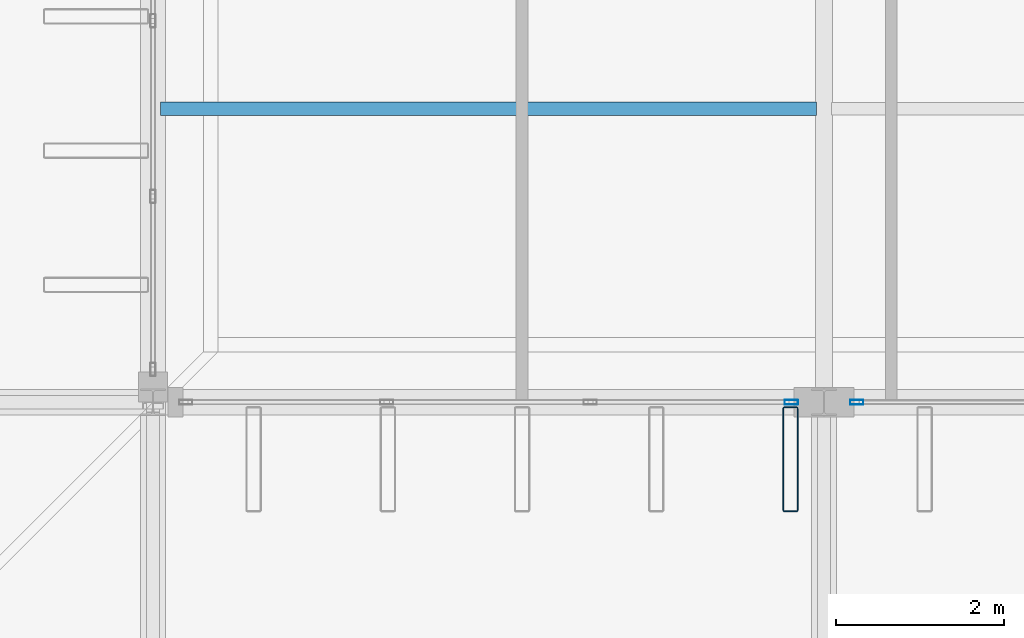
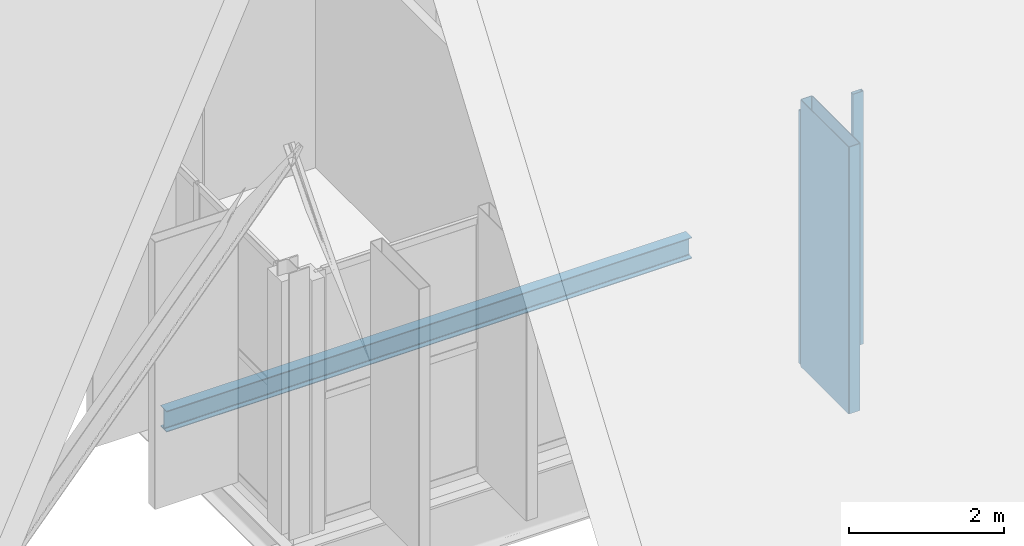
# One storey, part 18 of 93: 3 members, 1 beam, 2 elements without a shape of their own.
"""IFC4 building model written with IfcOpenShell, lengths in metres."""

import ifcopenshell
import ifcopenshell.guid

model = None  # the IFC model being written
_history = None  # IfcOwnerHistory: only IFC2X3 demands one
_inside = {}  # id of a spatial element -> (the spatial element, [elements in it])
_under = {}  # id of a project, library or spatial element -> (it, [spatial elements below it])
_declared = {}  # id of a project -> (the project, [libraries it declares])
_typed = {}  # id of a type object -> (the type object, [elements of that type])
_made_of = {}  # id of a material, layer set ... -> (it, [elements and type objects made of it])


def new_model(schema):
    """Start an empty IFC model of exactly this schema.

    Asked for "IFC4X3", IfcOpenShell would pick the latest addendum, in which some entities
    have other attributes; the version numbers below select the first issue.
    IFC2X3 requires an IfcOwnerHistory on every rooted entity: one is made here for all.
    """
    global model, _history
    if schema == "IFC4X3":
        model = ifcopenshell.file(schema_version=(4, 3, 0, 0))
    else:
        model = ifcopenshell.file(schema=schema)
    _inside.clear()
    _under.clear()
    _declared.clear()
    _typed.clear()
    _made_of.clear()
    _history = None
    if model.schema == "IFC2X3":
        org = make("IfcOrganization", Name="unknown")
        user = make(
            "IfcPersonAndOrganization",
            ThePerson=make("IfcPerson", FamilyName="unknown"),
            TheOrganization=org,
        )
        app = make(
            "IfcApplication",
            ApplicationDeveloper=org,
            Version="unknown",
            ApplicationFullName="unknown",
            ApplicationIdentifier="unknown",
        )
        _history = make(
            "IfcOwnerHistory",
            OwningUser=user,
            OwningApplication=app,
            ChangeAction="ADDED",
            CreationDate=0,
        )
    return model


def make(cls, **values):
    """One entity of the class cls with the attributes given. An attribute that is None is left unset."""
    return model.create_entity(
        cls, **{name: value for name, value in values.items() if value is not None}
    )


def rooted(cls, **values):
    """An entity with a GlobalId (a new one), such as an element, a storey or a relation."""
    return make(cls, GlobalId=ifcopenshell.guid.new(), OwnerHistory=_history, **values)


def si_unit(unit_type, name, prefix=None):
    """IfcSIUnit, for example si_unit("LENGTHUNIT", "METRE", prefix="MILLI")."""
    return make("IfcSIUnit", UnitType=unit_type, Prefix=prefix, Name=name)


def assignment(units):
    """IfcUnitAssignment: the units of a project."""
    return None if units is None else make("IfcUnitAssignment", Units=units)


def point(xyz):
    """IfcCartesianPoint."""
    return None if xyz is None else make("IfcCartesianPoint", Coordinates=xyz)


def direction(xyz):
    """IfcDirection."""
    return None if xyz is None else make("IfcDirection", DirectionRatios=xyz)


def frame(location, z_axis=None, x_axis=None):
    """IfcAxis2Placement3D, a coordinate frame: its origin and axes. An axis left out is left unset."""
    return make(
        "IfcAxis2Placement3D",
        Location=point(location),
        Axis=direction(z_axis),
        RefDirection=direction(x_axis),
    )


def frame_2d(location, x_axis=None):
    """IfcAxis2Placement2D, a coordinate frame in the plane: its origin and x axis."""
    return make(
        "IfcAxis2Placement2D", Location=point(location), RefDirection=direction(x_axis)
    )


def origin():
    """The frame at (0, 0, 0) with its axes left unset."""
    return frame((0.0, 0.0, 0.0))


def origin_2d():
    """The frame at (0, 0) in the plane with its x axis left unset."""
    return frame_2d((0.0, 0.0))


def place(relative_to, where):
    """IfcLocalPlacement: puts the frame where relative to a parent placement (None: the world)."""
    return make(
        "IfcLocalPlacement", PlacementRelTo=relative_to, RelativePlacement=where
    )


def context(
    kind, dimensions, precision=None, world=None, true_north=None, identifier=None
):
    """IfcGeometricRepresentationContext, for example the 3D "Model" context."""
    return make(
        "IfcGeometricRepresentationContext",
        ContextIdentifier=identifier,
        ContextType=kind,
        CoordinateSpaceDimension=dimensions,
        Precision=precision,
        WorldCoordinateSystem=world,
        TrueNorth=true_north,
    )


def subcontext(parent, identifier, kind, view, scale=None):
    """IfcGeometricRepresentationSubContext, for example "Body" below "Model"."""
    return make(
        "IfcGeometricRepresentationSubContext",
        ContextIdentifier=identifier,
        ContextType=kind,
        ParentContext=parent,
        TargetScale=scale,
        TargetView=view,
    )


def project(units=None, contexts=None):
    """IfcProject with its units and contexts."""
    return rooted(
        "IfcProject",
        Name="project",
        RepresentationContexts=contexts,
        UnitsInContext=assignment(units),
    )


def spatial(cls, under=None, at=None, **own):
    """A site, building, storey or space (cls), placed at a placement, below another one or the project."""
    s = rooted(cls, ObjectPlacement=at, **own)
    if under is not None:
        _under.setdefault(under.id(), (under, []))[1].append(s)
    return s


def profile(cls, at=None, kind="AREA", **sizes):
    """A parametric profile (cls). Its sizes go by their IFC names, for example OverallWidth=200.0."""
    return make(cls, ProfileType=kind, Position=at, **sizes)


def hollow_rectangle(**sizes):
    """IfcRectangleHollowProfileDef."""
    return profile("IfcRectangleHollowProfileDef", **sizes)


def i_section(**sizes):
    """IfcIShapeProfileDef."""
    return profile("IfcIShapeProfileDef", **sizes)


def extrude(swept, where, along, depth):
    """IfcExtrudedAreaSolid: the profile swept, set in the frame where, extruded along a direction by depth."""
    return make(
        "IfcExtrudedAreaSolid",
        SweptArea=swept,
        Position=where,
        ExtrudedDirection=direction(along),
        Depth=depth,
    )


def shape(context_of_items, identifier, shape_type, items):
    """IfcShapeRepresentation: the items that make up one representation, for example the "Body"."""
    return make(
        "IfcShapeRepresentation",
        ContextOfItems=context_of_items,
        RepresentationIdentifier=identifier,
        RepresentationType=shape_type,
        Items=items,
    )


def material(Name=None, Category=None):
    """IfcMaterial."""
    return make("IfcMaterial", Name=Name, Category=Category)


def layer(
    of_material, thickness, ventilated=None, Name=None, Category=None, Priority=None
):
    """IfcMaterialLayer: one layer of a wall or slab, of a material (None: an air gap)."""
    return make(
        "IfcMaterialLayer",
        Material=of_material,
        LayerThickness=thickness,
        IsVentilated=ventilated,
        Name=Name,
        Category=Category,
        Priority=Priority,
    )


def layer_set(layers, Name=None):
    """IfcMaterialLayerSet."""
    return make("IfcMaterialLayerSet", MaterialLayers=layers, LayerSetName=Name)


def material_profile(
    of_material, cross_section, Name=None, Category=None, Priority=None
):
    """IfcMaterialProfile: a cross section and its material."""
    return make(
        "IfcMaterialProfile",
        Name=Name,
        Material=of_material,
        Profile=cross_section,
        Priority=Priority,
        Category=Category,
    )


def profile_set(profiles, Name=None, composite=None):
    """IfcMaterialProfileSet."""
    return make(
        "IfcMaterialProfileSet",
        Name=Name,
        MaterialProfiles=profiles,
        CompositeProfile=composite,
    )


def made_of(thing, what):
    """Note that an element or type object is made of a material, layer set ...; save() writes the relation."""
    if what is not None:
        _made_of.setdefault(what.id(), (what, []))[1].append(thing)
    return thing


def type_object(cls, material=None, **own):
    """A type object (cls), such as IfcWallType, which elements share."""
    return made_of(rooted(cls, **own), material)


def element(
    cls,
    number,
    at=None,
    inside=None,
    cuts=None,
    type_object=None,
    material=None,
    context=None,
    identifier="Body",
    shape_type=None,
    held_by="IfcProductDefinitionShape",
    body=None,
    shapes=None,
    **own,
):
    """One element of the class cls, such as IfcWall. Its Tag is "e" and its number.

    at: its placement. inside: the storey or other place that contains it. cuts: it is an
    opening in that element (IfcRelVoidsElement). A single representation is given by context,
    identifier, shape_type and body (its items); several are given by shapes. held_by: the class
    of the entity that holds the representations. save() writes the other relations.
    """
    e = rooted(cls, Tag="e%d" % number, ObjectPlacement=at, **own)
    if body is not None:
        shapes = [shape(context, identifier, shape_type, body)]
    if shapes is not None:
        e.Representation = make(held_by, Representations=shapes)
    if inside is not None:
        _inside.setdefault(inside.id(), (inside, []))[1].append(e)
    if cuts is not None:
        rooted(
            "IfcRelVoidsElement", RelatingBuildingElement=cuts, RelatedOpeningElement=e
        )
    if type_object is not None:
        _typed.setdefault(type_object.id(), (type_object, []))[1].append(e)
    return made_of(e, material)


def aggregate(whole, parts):
    """IfcRelAggregates: a whole, such as a stair, and the parts it consists of."""
    return rooted("IfcRelAggregates", RelatingObject=whole, RelatedObjects=parts)


def save(model, path):
    """Write the relations noted so far, then the file.

    IfcRelAggregates (storeys below a building ...), IfcRelContainedInSpatialStructure (elements
    in a storey), IfcRelDefinesByType, IfcRelAssociatesMaterial and IfcRelDeclares: one each for
    every whole, place, type object, material and project.
    """
    for whole, parts in _under.values():
        aggregate(whole, parts)
    for where, things in _inside.values():
        rooted(
            "IfcRelContainedInSpatialStructure",
            RelatedElements=things,
            RelatingStructure=where,
        )
    for kind, things in _typed.values():
        rooted("IfcRelDefinesByType", RelatedObjects=things, RelatingType=kind)
    for what, things in _made_of.values():
        rooted("IfcRelAssociatesMaterial", RelatedObjects=things, RelatingMaterial=what)
    for by, libraries in _declared.values():
        rooted("IfcRelDeclares", RelatingContext=by, RelatedDefinitions=libraries)
    model.write(path)


model = new_model("IFC4")

# Units and contexts
model_context = context("Model", 3, precision=1e-05, world=origin(), true_north=direction((0.0, 1.0)))
body_context = subcontext(model_context, "Body", "Model", "MODEL_VIEW")
ifc_project = project(units=[si_unit("LENGTHUNIT", "METRE"), si_unit("AREAUNIT", "SQUARE_METRE"), si_unit("VOLUMEUNIT", "CUBIC_METRE"), si_unit("PLANEANGLEUNIT", "RADIAN"), si_unit("MASSUNIT", "GRAM", prefix="KILO")], contexts=[model_context])

# Site, building, storey
site_placement = place(None, origin())
site = spatial("IfcSite", under=ifc_project, at=site_placement, CompositionType="ELEMENT")
building_placement = place(site_placement, origin())
building = spatial("IfcBuilding", under=site, at=building_placement, Name="Vekula Escarpment Museum", CompositionType="ELEMENT")
storey_placement = place(building_placement, frame((0.0, 0.0, 22.199951171875)))
storey = spatial("IfcBuildingStorey", under=building, at=storey_placement, Name="L05", CompositionType="ELEMENT", Elevation=22.199951171875)

# Beam
ifc_material_1 = material(Name="Steel S355", Category="steel")
ifc_material_profile_1 = material_profile(ifc_material_1, i_section(OverallWidth=0.159912109375, OverallDepth=0.330078125, WebThickness=0.007568359375, FlangeThickness=0.011474609375, FilletRadius=0.01806640625, at=origin_2d()), Name="IPE 330")
ifc_profile_set_1 = profile_set([ifc_material_profile_1], Name="Steel S355")
beam_type = type_object("IfcBeamType", Name="BM-JST-IPE330", PredefinedType="JOIST", material=ifc_profile_set_1)
beam_placement = place(storey_placement, frame((70.090087890625, 49.10009765625, -0.385009765625), z_axis=(1.0, 0.0, 0.0), x_axis=(0.0, 1.0, 0.0)))
element("IfcBeam", 1, at=beam_placement, inside=storey, type_object=beam_type, Name="Secondary Joist L05 1340", PredefinedType="JOIST", context=body_context, shape_type="SweptSolid", body=[
    extrude(i_section(OverallWidth=0.159912109375, OverallDepth=0.330078125, WebThickness=0.007568359375, FlangeThickness=0.011474609375, FilletRadius=0.01806640625, at=origin_2d()), origin(), (0.0, 0.0, 1.0), 7.81982421875),
])

# Curtain wall, member
ifc_material_2 = material(Name="Aluminium thermally broken framing", Category="aluminium")
ifc_layer_1 = layer(ifc_material_2, 0.199951171875)
ifc_layer_set_1 = layer_set([ifc_layer_1], Name="Aluminium thermally broken framing")
curtain_wall_type_1 = type_object("IfcCurtainWallType", Name="CW-SYS-03", PredefinedType="NOTDEFINED", material=ifc_layer_set_1)
curtain_wall_1_placement = place(storey_placement, origin())
curtain_wall_1 = element("IfcCurtainWall", 2, at=curtain_wall_1_placement, inside=storey, type_object=curtain_wall_type_1, Name="Curtain Wall CW-L05-163", PredefinedType="NOTDEFINED")
ifc_material_3 = material(Name="Aluminium anodized mullion", Category="aluminium")
ifc_material_profile_2 = material_profile(ifc_material_3, hollow_rectangle(XDim=0.06005859375, YDim=0.159912109375, WallThickness=0.00390625, InnerFilletRadius=0.00390625, OuterFilletRadius=0.008056640625, at=origin_2d()), Name="ALU 160x60x4")
ifc_profile_set_2 = profile_set([ifc_material_profile_2], Name="Aluminium anodized mullion")
member_type_1 = type_object("IfcMemberType", Name="CW-MUL-160", PredefinedType="MULLION", material=ifc_profile_set_2)
member_1_placement = place(storey_placement, frame((77.610107421875, 45.60009765625, 0.0), z_axis=(0.0, 0.0, 1.0), x_axis=(0.0, 1.0, 0.0)))
member_1 = element("IfcMember", 3, at=member_1_placement, type_object=member_type_1, Name="CW-03 mullion 4", PredefinedType="MULLION", context=body_context, shape_type="SweptSolid", body=[
    extrude(hollow_rectangle(XDim=0.06005859375, YDim=0.159912109375, WallThickness=0.00390625, InnerFilletRadius=0.00390625, OuterFilletRadius=0.008056640625, at=origin_2d()), origin(), (0.0, 0.0, 1.0), 3.97998046875),
])
aggregate(curtain_wall_1, [member_1])

ifc_material_4 = material(Name="Aluminium thermally broken framing", Category="aluminium")
ifc_layer_2 = layer(ifc_material_4, 0.199951171875)
ifc_layer_set_2 = layer_set([ifc_layer_2], Name="Aluminium thermally broken framing")
curtain_wall_type_2 = type_object("IfcCurtainWallType", Name="CW-SYS-04", PredefinedType="NOTDEFINED", material=ifc_layer_set_2)
curtain_wall_2_placement = place(storey_placement, origin())
curtain_wall_2 = element("IfcCurtainWall", 4, at=curtain_wall_2_placement, inside=storey, type_object=curtain_wall_type_2, Name="Curtain Wall CW-L05-164", PredefinedType="NOTDEFINED")
member_2_placement = place(storey_placement, frame((78.389892578125, 45.60009765625, 0.0), z_axis=(0.0, 0.0, 1.0), x_axis=(0.0, 1.0, 0.0)))
member_2 = element("IfcMember", 5, at=member_2_placement, type_object=member_type_1, Name="CW-04 mullion 1", PredefinedType="MULLION", context=body_context, shape_type="SweptSolid", body=[
    extrude(hollow_rectangle(XDim=0.06005859375, YDim=0.159912109375, WallThickness=0.00390625, InnerFilletRadius=0.00390625, OuterFilletRadius=0.008056640625, at=origin_2d()), origin(), (0.0, 0.0, 1.0), 3.97998046875),
])
aggregate(curtain_wall_2, [member_2])

# Member
ifc_material_5 = material(Name="Steel S355 weathered bronze solar fin", Category="steel")
ifc_material_profile_3 = material_profile(ifc_material_5, hollow_rectangle(XDim=0.179931640625, YDim=1.25, WallThickness=0.010009765625, InnerFilletRadius=0.010009765625, OuterFilletRadius=0.02001953125, at=origin_2d()), Name="RHS 1250x180x10")
ifc_profile_set_3 = profile_set([ifc_material_profile_3], Name="Steel S355 weathered bronze solar fin")
member_type_2 = type_object("IfcMemberType", Name="MB-SOLAR-FIN", PredefinedType="USERDEFINED", material=ifc_profile_set_3)
member_3_placement = place(storey_placement, frame((77.60009765625, 44.919921875, 0.0), z_axis=(0.0, 0.0, 1.0), x_axis=(1.0, 0.0, 0.0)))
element("IfcMember", 6, at=member_3_placement, inside=storey, type_object=member_type_2, Name="Great Hall Vertical Solar Fin 0025", ObjectType="SOLAR FIN", PredefinedType="USERDEFINED", context=body_context, shape_type="SweptSolid", body=[
    extrude(hollow_rectangle(XDim=0.179931640625, YDim=1.25, WallThickness=0.010009765625, InnerFilletRadius=0.010009765625, OuterFilletRadius=0.02001953125, at=origin_2d()), origin(), (0.0, 0.0, 1.0), 4.199951171875),
])

save(model, "model.ifc")
